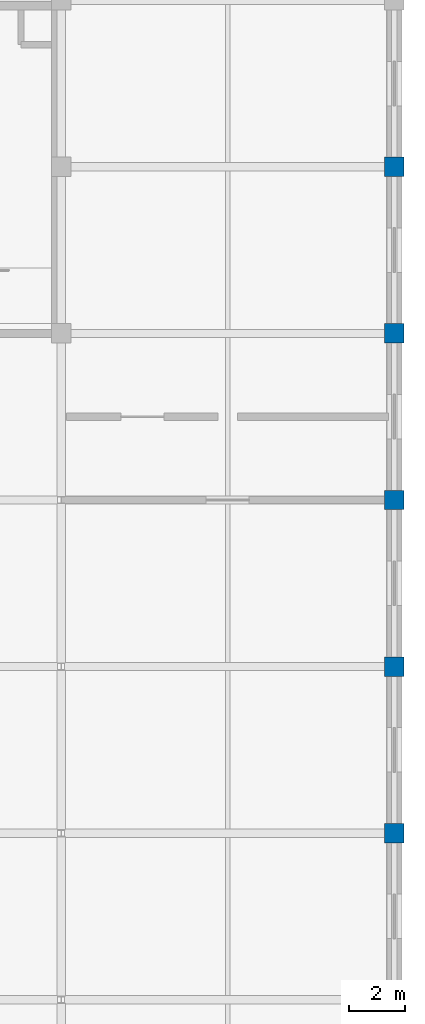
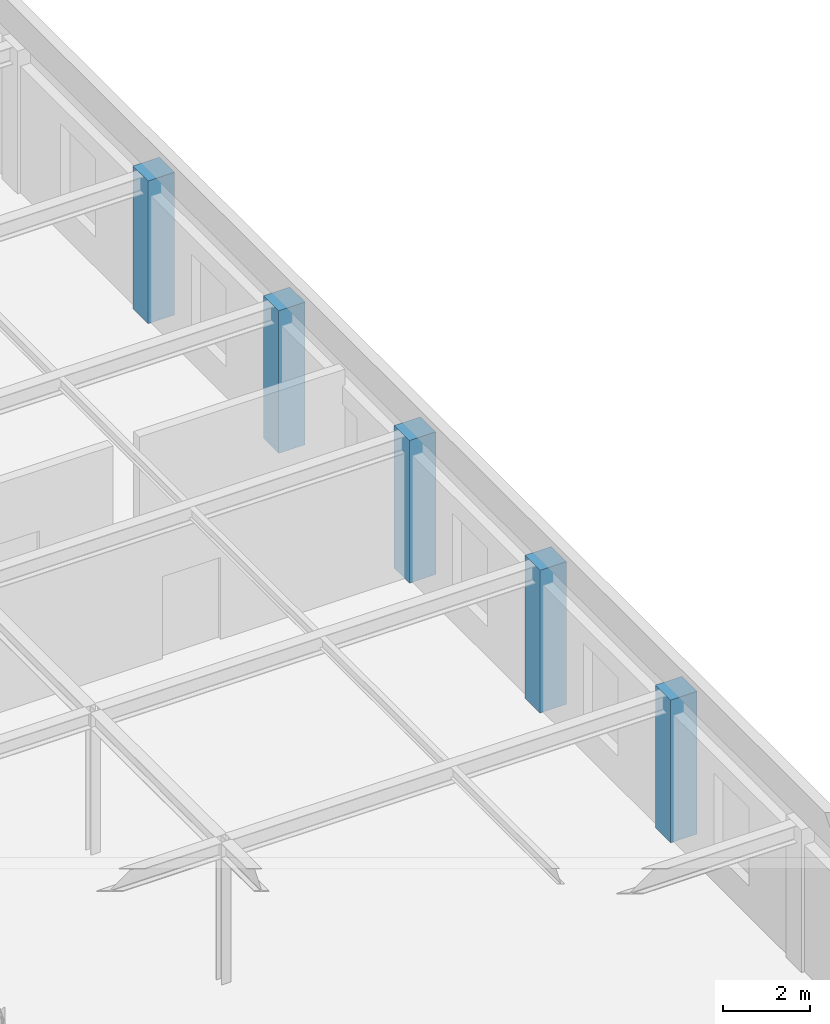
# One storey, part 26 of 111: 5 columns.
"""IFC4 building model written with IfcOpenShell, lengths in metres."""

from ifc_helpers import new_model, si_unit, direction, frame, origin, origin_2d, place, context, subcontext, project, spatial, rectangle, extrude, material, material_profile, profile_set, type_object, element, save


model = new_model("IFC4")

# Units and contexts
model_context = context("Model", 3, precision=1e-05, world=origin(), true_north=direction((0.0, 1.0)))
body_context = subcontext(model_context, "Body", "Model", "MODEL_VIEW")
ifc_project = project(units=[si_unit("LENGTHUNIT", "METRE"), si_unit("AREAUNIT", "SQUARE_METRE"), si_unit("VOLUMEUNIT", "CUBIC_METRE"), si_unit("PLANEANGLEUNIT", "RADIAN"), si_unit("MASSUNIT", "GRAM", prefix="KILO")], contexts=[model_context])

# Site, building, storey
site_placement = place(None, origin())
site = spatial("IfcSite", under=ifc_project, at=site_placement, CompositionType="ELEMENT")
building_placement = place(site_placement, origin())
building = spatial("IfcBuilding", under=site, at=building_placement, Name="Zlatovratsky Civic Hall", CompositionType="ELEMENT")
storey_placement = place(building_placement, frame((0.0, 0.0, 16.5)))
storey = spatial("IfcBuildingStorey", under=building, at=storey_placement, Name="L04", CompositionType="ELEMENT", Elevation=16.5)

# Columns
ifc_material = material(Name="Concrete C35/45 (B40)", Category="concrete")
ifc_material_profile = material_profile(ifc_material, rectangle(XDim=0.699951171875, YDim=0.699951171875, at=origin_2d()), Name="RC 700x700")
ifc_profile_set = profile_set([ifc_material_profile], Name="Concrete C35/45 (B40)")
column_type = type_object("IfcColumnType", Name="Col_CorePier_RC700", PredefinedType="COLUMN", material=ifc_profile_set)
for number, where, z_axis, x_axis, name in (
    (1, (168.0, 66.0, 0.0), (0.0, 0.0, 1.0), (1.0, 0.0, 0.0), "CL-1728"),
    (2, (168.0, 72.0, 0.0), (0.0, 0.0, 1.0), (1.0, 0.0, 0.0), "CL-1751"),
    (3, (168.0, 78.0, 0.0), (0.0, 0.0, 1.0), (1.0, 0.0, 0.0), "CL-1774"),
    (4, (168.0, 84.0, 0.0), (0.0, 0.0, 1.0), (1.0, 0.0, 0.0), "CL-1797"),
    (5, (168.0, 90.0, 0.0), (0.0, 0.0, 1.0), (1.0, 0.0, 0.0), "CL-1820"),
):
    element("IfcColumn", number, at=place(storey_placement, frame(where, z_axis=z_axis, x_axis=x_axis)), inside=storey, type_object=column_type, Name=name, PredefinedType="COLUMN", context=body_context, shape_type="SweptSolid", body=[
        extrude(rectangle(XDim=0.699951171875, YDim=0.699951171875, at=origin_2d()), origin(), (0.0, 0.0, 1.0), 4.0),
    ])

save(model, "model.ifc")
